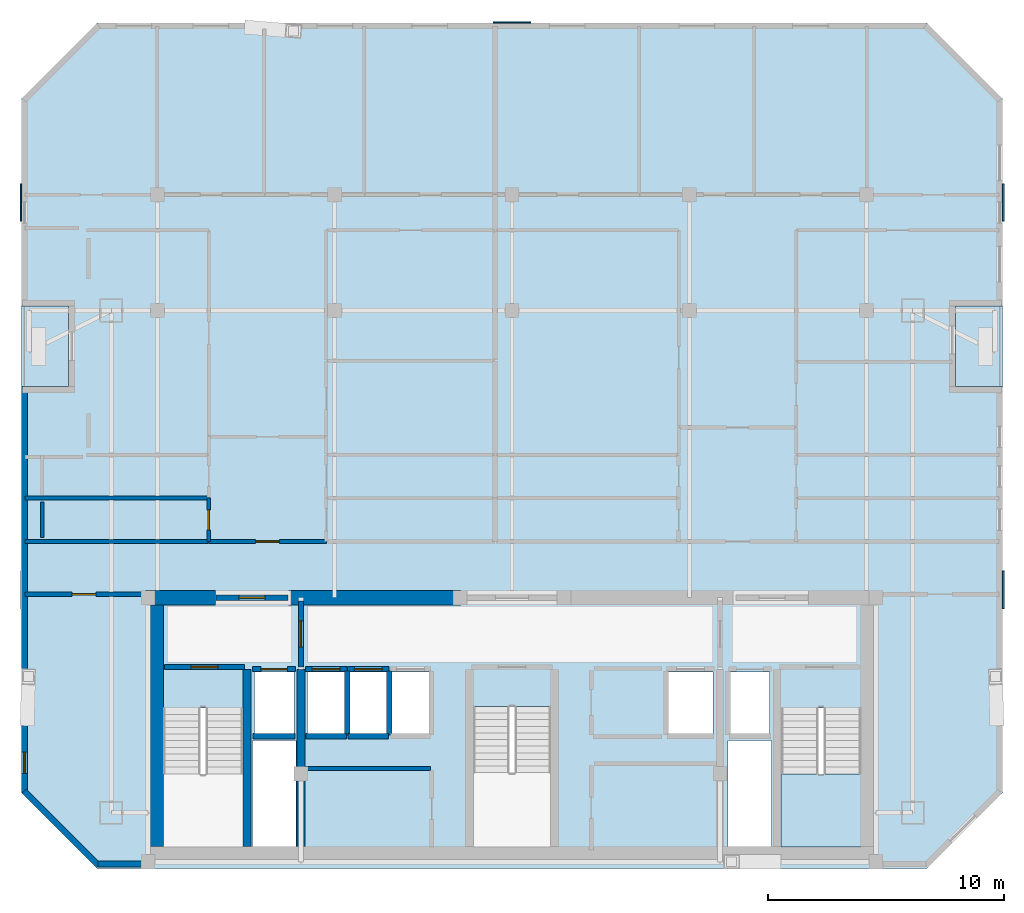
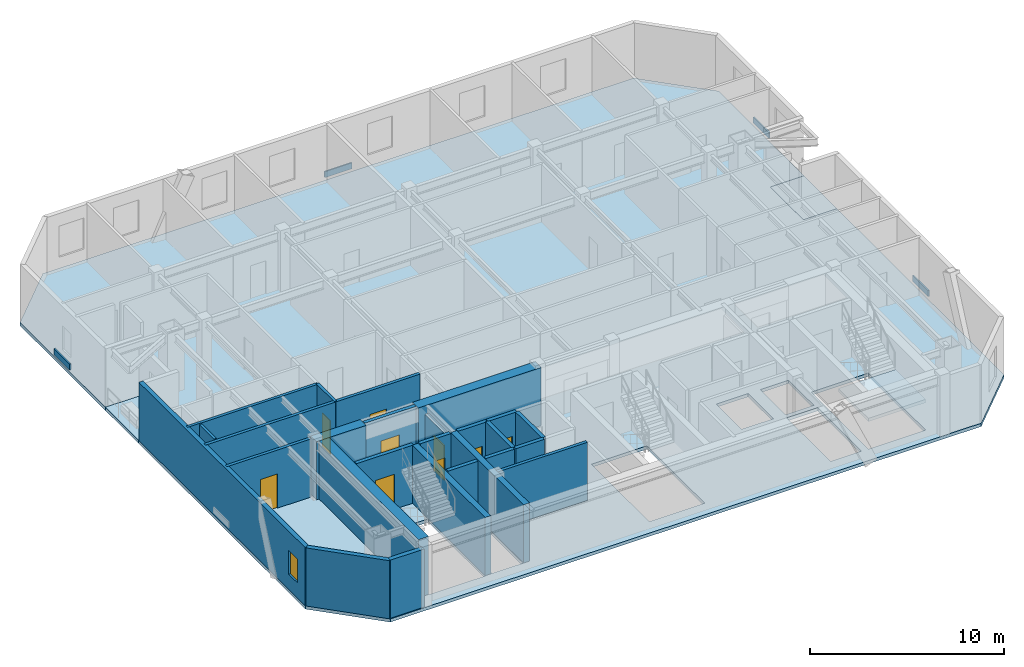
# One storey, part 2 of 7: 26 walls, 9 doors, 4 plates, 4 slabs, 1 window, 10 openings, 1 element without a shape of its own.
"""IFC4 building model written with IfcOpenShell, lengths in metres."""

from ifc_helpers import new_model, si_unit, direction, frame, frame_2d, origin, origin_2d, place, context, subcontext, project, spatial, polyline, rectangle, outline, extrude, material, layer, layer_set, type_object, element, fill, aggregate, save


model = new_model("IFC4")

# Units and contexts
model_context = context("Model", 3, precision=1e-05, world=origin(), true_north=direction((0.0, 1.0)))
body_context = subcontext(model_context, "Body", "Model", "MODEL_VIEW")
ifc_project = project(units=[si_unit("LENGTHUNIT", "METRE"), si_unit("AREAUNIT", "SQUARE_METRE"), si_unit("VOLUMEUNIT", "CUBIC_METRE"), si_unit("PLANEANGLEUNIT", "RADIAN"), si_unit("MASSUNIT", "GRAM", prefix="KILO")], contexts=[model_context])

# Site, building, storey
site_placement = place(None, origin())
site = spatial("IfcSite", under=ifc_project, at=site_placement, CompositionType="ELEMENT")
building_placement = place(site_placement, origin())
building = spatial("IfcBuilding", under=site, at=building_placement, Name="Ventersveld Concourse Tower", CompositionType="ELEMENT")
storey_placement = place(building_placement, frame((0.0, 0.0, 260.60009765625)))
storey = spatial("IfcBuildingStorey", under=building, at=storey_placement, Name="L64", CompositionType="ELEMENT", Elevation=260.60009765625)

# Plates
ifc_material_1 = material(Name="Precast concrete C45/55", Category="concrete")
ifc_layer_1 = layer(ifc_material_1, 0.080078125)
ifc_layer_set_1 = layer_set([ifc_layer_1], Name="Precast concrete C45/55")
plate_type = type_object("IfcPlateType", Name="PL-SPAND-80", PredefinedType="SHEET", material=ifc_layer_set_1)
for number, where, z_axis, x_axis, name in (
    (1, (49.522216796875, 11.7900390625, 0.169921875), (0.0, 0.0, 1.0), (0.0, 1.0, 0.0), "L64 Litema Bas-Relief Precast Spandrel Cassette 1"),
    (2, (49.522216796875, 28.17041015625, 0.169921875), (0.0, 0.0, 1.0), (0.0, 1.0, 0.0), "L64 Litema Bas-Relief Precast Spandrel Cassette 1"),
    (3, (28.75, 35.780517578125, 0.169921875), (0.0, 0.0, 1.0), (-1.0, 0.0, 0.0), "L64 Litema Bas-Relief Precast Spandrel Cassette 1"),
    (4, (7.977783203125, 28.17041015625, 0.169921875), (0.0, 0.0, 1.0), (0.0, -1.0, 0.0), "L64 Litema Bas-Relief Precast Spandrel Cassette 1"),
):
    element("IfcPlate", number, at=place(storey_placement, frame(where, z_axis=z_axis, x_axis=x_axis)), inside=storey, type_object=plate_type, Name=name, PredefinedType="SHEET", context=body_context, shape_type="SweptSolid", body=[
        extrude(rectangle(XDim=1.60009765625, YDim=0.080078125, at=origin_2d()), origin(), (0.0, 0.0, 1.0), 0.3798828125),
    ])

# Slabs
ifc_material_2 = material(Name="Concrete C50/60", Category="concrete")
ifc_layer_2 = layer(ifc_material_2, 0.199951171875)
ifc_layer_set_2 = layer_set([ifc_layer_2], Name="Concrete C50/60")
slab_type_1 = type_object("IfcSlabType", Name="SL-FLR-200", PredefinedType="FLOOR", material=ifc_layer_set_2)
slab_1_placement = place(storey_placement, frame((0.0, 0.0, -0.2001953125)))
element("IfcSlab", 5, at=slab_1_placement, inside=storey, type_object=slab_type_1, Name="L64 Composite Floor Slab", PredefinedType="FLOOR", context=body_context, shape_type="SweptSolid", body=[
    extrude(outline(polyline([(11.19775390625, 0.0), (46.30224609375, 0.0), (49.502197265625, 3.199951171875), (49.502197265625, 20.38037109375), (47.502197265625, 20.38037109375), (47.502197265625, 23.7802734375), (49.502197265625, 23.7802734375), (49.502197265625, 32.560546875), (46.30224609375, 35.760498046875), (11.19775390625, 35.760498046875), (7.997802734375, 32.560546875), (7.997802734375, 23.7802734375), (9.997802734375, 23.7802734375), (9.997802734375, 20.38037109375), (7.997802734375, 20.38037109375), (7.997802734375, 3.199951171875), (11.19775390625, 0.0)]), holes=[polyline([(13.97998046875, 6.794921875), (13.97998046875, 0.89990234375), (17.3798828125, 0.89990234375), (17.3798828125, 6.794921875), (13.97998046875, 6.794921875)]), polyline([(40.1201171875, 6.794921875), (40.1201171875, 0.89990234375), (43.52001953125, 0.89990234375), (43.52001953125, 6.794921875), (40.1201171875, 6.794921875)]), polyline([(27.10009765625, 6.844970703125), (27.10009765625, 0.89990234375), (30.39990234375, 0.89990234375), (30.39990234375, 6.844970703125), (27.10009765625, 6.844970703125)]), polyline([(17.85009765625, 5.699951171875), (19.530029296875, 5.699951171875), (19.530029296875, 8.300048828125), (17.85009765625, 8.300048828125), (17.85009765625, 5.699951171875)]), polyline([(37.969970703125, 5.699951171875), (39.64990234375, 5.699951171875), (39.64990234375, 8.300048828125), (37.969970703125, 8.300048828125), (37.969970703125, 5.699951171875)]), polyline([(35.35009765625, 5.699951171875), (37.25, 5.699951171875), (37.25, 8.300048828125), (35.35009765625, 8.300048828125), (35.35009765625, 5.699951171875)]), polyline([(20.090087890625, 5.699951171875), (21.68994140625, 5.699951171875), (21.68994140625, 8.300048828125), (20.090087890625, 8.300048828125), (20.090087890625, 5.699951171875)]), polyline([(21.8701171875, 5.699951171875), (23.469970703125, 5.699951171875), (23.469970703125, 8.300048828125), (21.8701171875, 8.300048828125), (21.8701171875, 5.699951171875)]), polyline([(23.64990234375, 5.699951171875), (25.25, 5.699951171875), (25.25, 8.300048828125), (23.64990234375, 8.300048828125), (23.64990234375, 5.699951171875)]), polyline([(17.780029296875, 0.919921875), (19.6201171875, 0.919921875), (19.6201171875, 5.419921875), (17.780029296875, 5.419921875), (17.780029296875, 0.919921875)]), polyline([(37.8798828125, 0.919921875), (39.719970703125, 0.919921875), (39.719970703125, 5.419921875), (37.8798828125, 5.419921875), (37.8798828125, 0.919921875)])]), origin(), (0.0, 0.0, 1.0), 0.2001953125),
])
slab_2_placement = place(storey_placement, frame((0.0, 0.0, -0.2001953125)))
element("IfcSlab", 6, at=slab_2_placement, inside=storey, type_object=slab_type_1, Name="L64 Outdoor Terrace Slab NOTCH-W", PredefinedType="FLOOR", context=body_context, shape_type="SweptSolid", body=[
    extrude(outline(polyline([(7.997802734375, 20.38037109375), (9.997802734375, 20.38037109375), (9.997802734375, 23.7802734375), (7.997802734375, 23.7802734375), (7.997802734375, 20.38037109375)])), origin(), (0.0, 0.0, 1.0), 0.2001953125),
])
slab_3_placement = place(storey_placement, frame((0.0, 0.0, -0.2001953125)))
element("IfcSlab", 7, at=slab_3_placement, inside=storey, type_object=slab_type_1, Name="L64 Outdoor Terrace Slab NOTCH-E", PredefinedType="FLOOR", context=body_context, shape_type="SweptSolid", body=[
    extrude(outline(polyline([(47.502197265625, 20.38037109375), (49.502197265625, 20.38037109375), (49.502197265625, 23.7802734375), (47.502197265625, 23.7802734375), (47.502197265625, 20.38037109375)])), origin(), (0.0, 0.0, 1.0), 0.2001953125),
])

# Stair, slab
stair_type = type_object("IfcStairType", Name="ST-DOG-160", PredefinedType="HALF_TURN_STAIR", material=ifc_material_2)
stair_placement = place(storey_placement, origin())
stair = element("IfcStair", 8, at=stair_placement, inside=storey, type_object=stair_type, Name="L64 Protected Tower Escape Stair ST-02", PredefinedType="HALF_TURN_STAIR")
ifc_layer_3 = layer(ifc_material_2, 0.199951171875)
ifc_layer_set_3 = layer_set([ifc_layer_3], Name="Concrete C50/60")
slab_type_2 = type_object("IfcSlabType", Name="SL-LND-200", PredefinedType="LANDING", material=ifc_layer_set_3)
slab_4_placement = place(storey_placement, frame((0.0, 0.0, 1.724853515625)))
slab_4 = element("IfcSlab", 9, at=slab_4_placement, type_object=slab_type_2, Name="ST-02 landing 1", PredefinedType="LANDING", context=body_context, shape_type="SweptSolid", body=[
    extrude(outline(polyline([(40.1201171875, 4.0), (40.1201171875, 0.89990234375), (43.52001953125, 0.89990234375), (43.52001953125, 4.0), (40.1201171875, 4.0)])), origin(), (0.0, 0.0, 1.0), 0.199951171875),
])
aggregate(stair, [slab_4])

# Walls
ifc_layer_4 = layer(ifc_material_2, 0.35009765625)
ifc_layer_set_4 = layer_set([ifc_layer_4], Name="Concrete C50/60")
wall_type_1 = type_object("IfcWallType", Name="WL-CORE-350U", PredefinedType="SHEAR", material=ifc_layer_set_4)
for number, where, z_axis, x_axis, name in (
    (10, (17.5400390625, 0.919921875, 0.0), (0.0, 0.0, 1.0), (0.0, 1.0, 0.0), "L64 Core Internal Shear Web W-ST1-E"),
    (11, (19.820068359375, 0.919921875, 0.0), (0.0, 0.0, 1.0), (0.0, 1.0, 0.0), "L64 Core Internal Shear Web W-FF1-E"),
):
    element("IfcWall", number, at=place(storey_placement, frame(where, z_axis=z_axis, x_axis=x_axis)), inside=storey, type_object=wall_type_1, Name=name, PredefinedType="SHEAR", context=body_context, shape_type="SweptSolid", body=[
        extrude(rectangle(XDim=7.5, YDim=0.35009765625, at=frame_2d((3.75, 0.0))), origin(), (0.0, 0.0, 1.0), 3.64990234375),
    ])
ifc_layer_5 = layer(ifc_material_2, 0.60009765625)
ifc_layer_set_5 = layer_set([ifc_layer_5], Name="Concrete C50/60")
wall_type_2 = type_object("IfcWallType", Name="WL-CORE-600", PredefinedType="SHEAR", material=ifc_layer_set_5)
wall_1_placement = place(storey_placement, frame((13.699951171875, 0.919921875, 0.0), z_axis=(0.0, 0.0, 1.0), x_axis=(0.0, 1.0, 0.0)))
element("IfcWall", 12, at=wall_1_placement, inside=storey, type_object=wall_type_2, Name="L64 Rear Core West Shear Wall", PredefinedType="SHEAR", context=body_context, shape_type="SweptSolid", body=[
    extrude(rectangle(XDim=10.530029296875, YDim=0.60009765625, at=frame_2d((5.26513671875, 0.0))), origin(), (0.0, 0.0, 1.0), 3.64990234375),
])
wall_2_placement = place(storey_placement, frame((13.25, 11.449951171875, 0.0), z_axis=(0.0, 0.0, 1.0), x_axis=(1.0, 0.0, 0.0)))
element("IfcWall", 13, at=wall_2_placement, inside=storey, type_object=wall_type_2, Name="L64 Rear Core North Shear Wall NW", PredefinedType="SHEAR", context=body_context, shape_type="SweptSolid", body=[
    extrude(rectangle(XDim=2.949951171875, YDim=0.60009765625, at=frame_2d((1.47509765625, 0.0))), origin(), (0.0, 0.0, 1.0), 3.64990234375),
])
wall_3_placement = place(storey_placement, frame((19.300048828125, 11.449951171875, 0.0), z_axis=(0.0, 0.0, 1.0), x_axis=(1.0, 0.0, 0.0)))
element("IfcWall", 14, at=wall_3_placement, inside=storey, type_object=wall_type_2, Name="L64 Rear Core North Shear Wall NML", PredefinedType="SHEAR", context=body_context, shape_type="SweptSolid", body=[
    extrude(rectangle(XDim=7.300048828125, YDim=0.60009765625, at=frame_2d((3.64990234375, 0.0))), origin(), (0.0, 0.0, 1.0), 3.64990234375),
])
ifc_material_3 = material(Name="Fire-rated autoclaved aerated masonry blockwork", Category="masonry")
ifc_layer_6 = layer(ifc_material_3, 0.179931640625)
ifc_layer_set_6 = layer_set([ifc_layer_6], Name="Fire-rated autoclaved aerated masonry blockwork")
wall_type_3 = type_object("IfcWallType", Name="WL-CORR-180", PredefinedType="PARTITIONING", material=ifc_layer_set_6)
wall_4_placement = place(storey_placement, frame((19.97998046875, 4.22998046875, 0.0), z_axis=(0.0, 0.0, 1.0), x_axis=(1.0, 0.0, 0.0)))
element("IfcWall", 15, at=wall_4_placement, inside=storey, type_object=wall_type_3, Name="L64 Core Top Wall SP-L64-RECB1A", PredefinedType="PARTITIONING", context=body_context, shape_type="SweptSolid", body=[
    extrude(rectangle(XDim=5.320068359375, YDim=0.179931640625, at=frame_2d((2.66015625, 0.0))), origin(), (0.0, 0.0, 1.0), 3.64990234375),
])

# Wall, opening, door
wall_5_placement = place(storey_placement, frame((8.147216796875, 11.60009765625, 0.0), z_axis=(0.0, 0.0, 1.0), x_axis=(1.0, 0.0, 0.0)))
wall_5 = element("IfcWall", 16, at=wall_5_placement, inside=storey, type_object=wall_type_3, Name="L64 Interior Partition SP-L64-SW-GAL-SP-L64-COR", PredefinedType="PARTITIONING", context=body_context, shape_type="SweptSolid", body=[
    extrude(rectangle(XDim=4.997802734375, YDim=0.179931640625, at=frame_2d((2.4990234375, 0.0))), origin(), (0.0, 0.0, 1.0), 3.64990234375),
])
opening_1_placement = place(wall_5_placement, frame((1.998779296875, 0.0, 0.0)))
opening_1 = element("IfcOpeningElement", 17, at=opening_1_placement, cuts=wall_5, Name="Opening FD3", PredefinedType="OPENING", context=body_context, shape_type="SweptSolid", body=[
    extrude(rectangle(XDim=1.0, YDim=2.14990234375, at=frame_2d((0.5, 1.074951171875))), frame((0.0, 0.10009765625, 0.0), z_axis=(0.0, -1.0, 0.0), x_axis=(1.0, 0.0, 0.0)), (0.0, 0.0, 1.0), 0.199951171875),
])
ifc_material_4 = material(Name="Solid-core hardwood veneer timber", Category="wood")
door_type_1 = type_object("IfcDoorType", Name="DR-FLAT-100", OperationType="NOTDEFINED", PredefinedType="DOOR", material=ifc_material_4)
door_1_placement = place(opening_1_placement, origin())
door_1 = element("IfcDoor", 18, at=door_1_placement, inside=storey, type_object=door_type_1, Name="L64 Interior Door SP-L64-SW-GAL to SP-L64-COR (D-L64-3022)", OperationType="SINGLE_SWING_RIGHT", OverallHeight=2.14990234375, OverallWidth=1.0, PredefinedType="DOOR", context=body_context, shape_type="SweptSolid", body=[
    extrude(rectangle(XDim=1.0, YDim=2.14990234375, at=frame_2d((0.5, 1.074951171875))), frame((0.0, 0.02490234375, 0.0), z_axis=(0.0, -1.0, 0.0), x_axis=(1.0, 0.0, 0.0)), (0.0, 0.0, 1.0), 0.050048828125),
])
fill(opening_1, door_1)

wall_6_placement = place(storey_placement, frame((15.9150390625, 13.830078125, 0.0), z_axis=(0.0, 0.0, 1.0), x_axis=(1.0, 0.0, 0.0)))
wall_6 = element("IfcWall", 19, at=wall_6_placement, inside=storey, type_object=wall_type_3, Name="L64 Interior Partition SP-L64-COR-SP-L64-64N1-FOY", PredefinedType="PARTITIONING", context=body_context, shape_type="SweptSolid", body=[
    extrude(rectangle(XDim=4.989990234375, YDim=0.179931640625, at=frame_2d((2.4951171875, 0.0))), origin(), (0.0, 0.0, 1.0), 3.64990234375),
])
opening_2_placement = place(wall_6_placement, frame((1.9951171875, 0.0, 0.0)))
opening_2 = element("IfcOpeningElement", 20, at=opening_2_placement, cuts=wall_6, Name="Opening FD3", PredefinedType="OPENING", context=body_context, shape_type="SweptSolid", body=[
    extrude(rectangle(XDim=1.0, YDim=2.14990234375, at=frame_2d((0.5, 1.074951171875))), frame((0.0, 0.10009765625, 0.0), z_axis=(0.0, -1.0, 0.0), x_axis=(1.0, 0.0, 0.0)), (0.0, 0.0, 1.0), 0.199951171875),
])
door_2_placement = place(opening_2_placement, origin())
door_2 = element("IfcDoor", 21, at=door_2_placement, inside=storey, type_object=door_type_1, Name="L64 Interior Door SP-L64-COR to SP-L64-64N1-FOY (FD-L64-3024)", OperationType="SINGLE_SWING_RIGHT", OverallHeight=2.14990234375, OverallWidth=1.0, PredefinedType="DOOR", context=body_context, shape_type="SweptSolid", body=[
    extrude(rectangle(XDim=1.0, YDim=2.14990234375, at=frame_2d((0.5, 1.074951171875))), frame((0.0, 0.02490234375, 0.0), z_axis=(0.0, -1.0, 0.0), x_axis=(1.0, 0.0, 0.0)), (0.0, 0.0, 1.0), 0.050048828125),
])
fill(opening_2, door_2)

# Walls
wall_7_placement = place(storey_placement, frame((8.147216796875, 13.830078125, 0.0), z_axis=(0.0, 0.0, 1.0), x_axis=(1.0, 0.0, 0.0)))
element("IfcWall", 22, at=wall_7_placement, inside=storey, type_object=wall_type_3, Name="L64 Interior Partition SP-L64-COR-SP-L64-64N1-BATH", PredefinedType="PARTITIONING", context=body_context, shape_type="SweptSolid", body=[
    extrude(rectangle(XDim=7.73779296875, YDim=0.179931640625, at=frame_2d((3.868896484375, 0.0))), origin(), (0.0, 0.0, 1.0), 3.64990234375),
])
ifc_layer_7 = layer(ifc_material_3, 0.219970703125)
ifc_layer_set_7 = layer_set([ifc_layer_7], Name="Fire-rated autoclaved aerated masonry blockwork")
wall_type_4 = type_object("IfcWallType", Name="WL-HOIST-220", PredefinedType="SOLIDWALL", material=ifc_layer_set_7)
wall_8_placement = place(storey_placement, frame((17.800048828125, 5.590087890625, 0.0), z_axis=(0.0, 0.0, 1.0), x_axis=(1.0, 0.0, 0.0)))
element("IfcWall", 23, at=wall_8_placement, inside=storey, type_object=wall_type_4, Name="L64 Lift Hoistway Back Wall FFL-01", PredefinedType="SOLIDWALL", context=body_context, shape_type="SweptSolid", body=[
    extrude(rectangle(XDim=1.780029296875, YDim=0.219970703125, at=frame_2d((0.89013671875, 0.0))), origin(), (0.0, 0.0, 1.0), 3.64990234375),
])

# Wall, opening, door
wall_9_placement = place(storey_placement, frame((17.780029296875, 8.429931640625, 0.0), z_axis=(0.0, 0.0, 1.0), x_axis=(1.0, 0.0, 0.0)))
wall_9 = element("IfcWall", 24, at=wall_9_placement, inside=storey, type_object=wall_type_4, Name="L64 Lift Hoistway Front Wall FFL-01", PredefinedType="SOLIDWALL", context=body_context, shape_type="SweptSolid", body=[
    extrude(rectangle(XDim=1.820068359375, YDim=0.219970703125, at=frame_2d((0.91015625, 0.0))), origin(), (0.0, 0.0, 1.0), 3.64990234375),
])
opening_3_placement = place(wall_9_placement, frame((0.35009765625, 0.0, 0.0)))
opening_3 = element("IfcOpeningElement", 25, at=opening_3_placement, cuts=wall_9, Name="Opening LD1", PredefinedType="OPENING", context=body_context, shape_type="SweptSolid", body=[
    extrude(rectangle(XDim=1.1201171875, YDim=2.25, at=frame_2d((0.56005859375, 1.125))), frame((0.0, 0.1201171875, 0.0), z_axis=(0.0, -1.0, 0.0), x_axis=(1.0, 0.0, 0.0)), (0.0, 0.0, 1.0), 0.239990234375),
])
ifc_material_5 = material(Name="Brushed stainless steel 316", Category="steel")
door_type_2 = type_object("IfcDoorType", Name="LD-FF-112", OperationType="SLIDING_TO_LEFT", PredefinedType="DOOR", material=ifc_material_5)
door_3_placement = place(opening_3_placement, origin())
door_3 = element("IfcDoor", 26, at=door_3_placement, inside=storey, type_object=door_type_2, Name="L64 Lift landing door FFL-01 (LD-L64-FFL-01)", OperationType="SLIDING_TO_RIGHT", OverallHeight=2.25, OverallWidth=1.1201171875, PredefinedType="DOOR", context=body_context, shape_type="SweptSolid", body=[
    extrude(rectangle(XDim=1.1201171875, YDim=2.25, at=frame_2d((0.56005859375, 1.125))), frame((0.0, 0.02490234375, 0.0), z_axis=(0.0, -1.0, 0.0), x_axis=(1.0, 0.0, 0.0)), (0.0, 0.0, 1.0), 0.050048828125),
])
fill(opening_3, door_3)

# Walls
wall_10_placement = place(storey_placement, frame((20.0400390625, 5.590087890625, 0.0), z_axis=(0.0, 0.0, 1.0), x_axis=(1.0, 0.0, 0.0)))
element("IfcWall", 27, at=wall_10_placement, inside=storey, type_object=wall_type_4, Name="L64 Lift Hoistway Back Wall PH-01", PredefinedType="SOLIDWALL", context=body_context, shape_type="SweptSolid", body=[
    extrude(rectangle(XDim=1.699951171875, YDim=0.219970703125, at=frame_2d((0.85009765625, 0.0))), origin(), (0.0, 0.0, 1.0), 3.64990234375),
])
wall_11_placement = place(storey_placement, frame((21.780029296875, 5.64990234375, 0.0), z_axis=(0.0, 0.0, 1.0), x_axis=(0.0, 1.0, 0.0)))
element("IfcWall", 28, at=wall_11_placement, inside=storey, type_object=wall_type_4, Name="L64 Lift Hoistway Side Wall PH-01E", PredefinedType="SOLIDWALL", context=body_context, shape_type="SweptSolid", body=[
    extrude(rectangle(XDim=2.7001953125, YDim=0.219970703125, at=frame_2d((1.35009765625, 0.0))), origin(), (0.0, 0.0, 1.0), 3.64990234375),
])

# Wall, opening, door
wall_12_placement = place(storey_placement, frame((20.02001953125, 8.429931640625, 0.0), z_axis=(0.0, 0.0, 1.0), x_axis=(1.0, 0.0, 0.0)))
wall_12 = element("IfcWall", 29, at=wall_12_placement, inside=storey, type_object=wall_type_4, Name="L64 Lift Hoistway Front Wall PH-01", PredefinedType="SOLIDWALL", context=body_context, shape_type="SweptSolid", body=[
    extrude(rectangle(XDim=1.739990234375, YDim=0.219970703125, at=frame_2d((0.8701171875, 0.0))), origin(), (0.0, 0.0, 1.0), 3.64990234375),
])
opening_4_placement = place(wall_12_placement, frame((0.280029296875, 0.0, 0.0)))
opening_4 = element("IfcOpeningElement", 30, at=opening_4_placement, cuts=wall_12, Name="Opening LD2", PredefinedType="OPENING", context=body_context, shape_type="SweptSolid", body=[
    extrude(rectangle(XDim=1.179931640625, YDim=2.199951171875, at=frame_2d((0.58984375, 1.10009765625))), frame((0.0, 0.1201171875, 0.0), z_axis=(0.0, -1.0, 0.0), x_axis=(1.0, 0.0, 0.0)), (0.0, 0.0, 1.0), 0.239990234375),
])
door_type_3 = type_object("IfcDoorType", Name="LD-PAX-118", OperationType="SLIDING_TO_LEFT", PredefinedType="DOOR", material=ifc_material_5)
door_4_placement = place(opening_4_placement, origin())
door_4 = element("IfcDoor", 31, at=door_4_placement, inside=storey, type_object=door_type_3, Name="L64 Lift landing door PH-01 (LD-L64-PH-01)", OperationType="SLIDING_TO_LEFT", OverallHeight=2.199951171875, OverallWidth=1.179931640625, PredefinedType="DOOR", context=body_context, shape_type="SweptSolid", body=[
    extrude(rectangle(XDim=1.179931640625, YDim=2.199951171875, at=frame_2d((0.58984375, 1.10009765625))), frame((0.0, 0.02490234375, 0.0), z_axis=(0.0, -1.0, 0.0), x_axis=(1.0, 0.0, 0.0)), (0.0, 0.0, 1.0), 0.050048828125),
])
fill(opening_4, door_4)

# Walls
wall_13_placement = place(storey_placement, frame((21.820068359375, 5.590087890625, 0.0), z_axis=(0.0, 0.0, 1.0), x_axis=(1.0, 0.0, 0.0)))
element("IfcWall", 32, at=wall_13_placement, inside=storey, type_object=wall_type_4, Name="L64 Lift Hoistway Back Wall PH-02", PredefinedType="SOLIDWALL", context=body_context, shape_type="SweptSolid", body=[
    extrude(rectangle(XDim=1.699951171875, YDim=0.219970703125, at=frame_2d((0.85009765625, 0.0))), origin(), (0.0, 0.0, 1.0), 3.64990234375),
])
wall_14_placement = place(storey_placement, frame((23.56005859375, 5.64990234375, 0.0), z_axis=(0.0, 0.0, 1.0), x_axis=(0.0, 1.0, 0.0)))
element("IfcWall", 33, at=wall_14_placement, inside=storey, type_object=wall_type_4, Name="L64 Lift Hoistway Side Wall PH-02E", PredefinedType="SOLIDWALL", context=body_context, shape_type="SweptSolid", body=[
    extrude(rectangle(XDim=2.7001953125, YDim=0.219970703125, at=frame_2d((1.35009765625, 0.0))), origin(), (0.0, 0.0, 1.0), 3.64990234375),
])

# Wall, opening, door
wall_15_placement = place(storey_placement, frame((21.800048828125, 8.429931640625, 0.0), z_axis=(0.0, 0.0, 1.0), x_axis=(1.0, 0.0, 0.0)))
wall_15 = element("IfcWall", 34, at=wall_15_placement, inside=storey, type_object=wall_type_4, Name="L64 Lift Hoistway Front Wall PH-02", PredefinedType="SOLIDWALL", context=body_context, shape_type="SweptSolid", body=[
    extrude(rectangle(XDim=1.739990234375, YDim=0.219970703125, at=frame_2d((0.8701171875, 0.0))), origin(), (0.0, 0.0, 1.0), 3.64990234375),
])
opening_5_placement = place(wall_15_placement, frame((0.280029296875, 0.0, 0.0)))
opening_5 = element("IfcOpeningElement", 35, at=opening_5_placement, cuts=wall_15, Name="Opening LD2", PredefinedType="OPENING", context=body_context, shape_type="SweptSolid", body=[
    extrude(rectangle(XDim=1.179931640625, YDim=2.199951171875, at=frame_2d((0.58984375, 1.10009765625))), frame((0.0, 0.1201171875, 0.0), z_axis=(0.0, -1.0, 0.0), x_axis=(1.0, 0.0, 0.0)), (0.0, 0.0, 1.0), 0.239990234375),
])
door_5_placement = place(opening_5_placement, origin())
door_5 = element("IfcDoor", 36, at=door_5_placement, inside=storey, type_object=door_type_3, Name="L64 Lift landing door PH-02 (LD-L64-PH-02)", OperationType="SLIDING_TO_RIGHT", OverallHeight=2.199951171875, OverallWidth=1.179931640625, PredefinedType="DOOR", context=body_context, shape_type="SweptSolid", body=[
    extrude(rectangle(XDim=1.179931640625, YDim=2.199951171875, at=frame_2d((0.58984375, 1.10009765625))), frame((0.0, 0.02490234375, 0.0), z_axis=(0.0, -1.0, 0.0), x_axis=(1.0, 0.0, 0.0)), (0.0, 0.0, 1.0), 0.050048828125),
])
fill(opening_5, door_5)

wall_16_placement = place(storey_placement, frame((14.0400390625, 8.52001953125, 0.0), z_axis=(0.0, 0.0, 1.0), x_axis=(1.0, 0.0, 0.0)))
wall_16 = element("IfcWall", 37, at=wall_16_placement, inside=storey, type_object=wall_type_4, Name="L64 Escape Stair ST01 Fire Wall", PredefinedType="SOLIDWALL", context=body_context, shape_type="SweptSolid", body=[
    extrude(rectangle(XDim=3.39990234375, YDim=0.219970703125, at=frame_2d((1.699951171875, 0.0))), origin(), (0.0, 0.0, 1.0), 3.64990234375),
])
opening_6_placement = place(wall_16_placement, frame((1.125, 0.0, 0.0)))
opening_6 = element("IfcOpeningElement", 38, at=opening_6_placement, cuts=wall_16, Name="Opening FD1", PredefinedType="OPENING", context=body_context, shape_type="SweptSolid", body=[
    extrude(rectangle(XDim=1.14990234375, YDim=2.199951171875, at=frame_2d((0.574951171875, 1.10009765625))), frame((0.0, 0.1201171875, 0.0), z_axis=(0.0, -1.0, 0.0), x_axis=(1.0, 0.0, 0.0)), (0.0, 0.0, 1.0), 0.239990234375),
])
ifc_material_6 = material(Name="Galvanised painted steel", Category="steel")
door_type_4 = type_object("IfcDoorType", Name="DR-STAIR-115", OperationType="NOTDEFINED", PredefinedType="DOOR", material=ifc_material_6)
door_6_placement = place(opening_6_placement, origin())
door_6 = element("IfcDoor", 39, at=door_6_placement, inside=storey, type_object=door_type_4, Name="L64 Escape Stair Door ST01 (SD-L64-3011)", OperationType="SINGLE_SWING_LEFT", OverallHeight=2.199951171875, OverallWidth=1.14990234375, PredefinedType="DOOR", context=body_context, shape_type="SweptSolid", body=[
    extrude(rectangle(XDim=1.14990234375, YDim=2.199951171875, at=frame_2d((0.574951171875, 1.10009765625))), frame((0.0, 0.02490234375, 0.0), z_axis=(0.0, -1.0, 0.0), x_axis=(1.0, 0.0, 0.0)), (0.0, 0.0, 1.0), 0.050048828125),
])
fill(opening_6, door_6)

wall_17_placement = place(storey_placement, frame((19.820068359375, 8.52001953125, 0.0), z_axis=(0.0, 0.0, 1.0), x_axis=(0.0, 1.0, 0.0)))
wall_17 = element("IfcWall", 40, at=wall_17_placement, inside=storey, type_object=wall_type_4, Name="L64 Firefighting Lobby Smoke-Stop Wall FFLW-SEP", PredefinedType="SOLIDWALL", context=body_context, shape_type="SweptSolid", body=[
    extrude(rectangle(XDim=2.800048828125, YDim=0.219970703125, at=frame_2d((1.39990234375, 0.0))), origin(), (0.0, 0.0, 1.0), 3.10546875),
])
opening_7_placement = place(wall_17_placement, frame((0.85009765625, 0.0, 0.0)))
opening_7 = element("IfcOpeningElement", 41, at=opening_7_placement, cuts=wall_17, Name="Opening FD2", PredefinedType="OPENING", context=body_context, shape_type="SweptSolid", body=[
    extrude(rectangle(XDim=1.10009765625, YDim=2.199951171875, at=frame_2d((0.550048828125, 1.10009765625))), frame((0.0, 0.1201171875, 0.0), z_axis=(0.0, -1.0, 0.0), x_axis=(1.0, 0.0, 0.0)), (0.0, 0.0, 1.0), 0.239990234375),
])
door_type_5 = type_object("IfcDoorType", Name="DR-FFL-110", OperationType="NOTDEFINED", PredefinedType="DOOR", material=ifc_material_6)
door_7_placement = place(opening_7_placement, origin())
door_7 = element("IfcDoor", 42, at=door_7_placement, inside=storey, type_object=door_type_5, Name="L64 Firefighting Lobby Door FFLW-SEP (FD-L64-3014)", OperationType="SINGLE_SWING_LEFT", OverallHeight=2.199951171875, OverallWidth=1.10009765625, PredefinedType="DOOR", context=body_context, shape_type="SweptSolid", body=[
    extrude(rectangle(XDim=1.10009765625, YDim=2.199951171875, at=frame_2d((0.550048828125, 1.10009765625))), frame((0.0, 0.02490234375, 0.0), z_axis=(0.0, -1.0, 0.0), x_axis=(1.0, 0.0, 0.0)), (0.0, 0.0, 1.0), 0.050048828125),
])
fill(opening_7, door_7)

wall_18_placement = place(storey_placement, frame((16.22998046875, 11.449951171875, 0.0), z_axis=(0.0, 0.0, 1.0), x_axis=(1.0, 0.0, 0.0)))
wall_18 = element("IfcWall", 43, at=wall_18_placement, inside=storey, type_object=wall_type_4, Name="L64 Core North Fire Portal FFLW-OUT", PredefinedType="SOLIDWALL", context=body_context, shape_type="SweptSolid", body=[
    extrude(rectangle(XDim=3.0400390625, YDim=0.219970703125, at=frame_2d((1.52001953125, 0.0))), origin(), (0.0, 0.0, 1.0), 3.64990234375),
])
opening_8_placement = place(wall_18_placement, frame((0.969970703125, 0.0, 0.0)))
opening_8 = element("IfcOpeningElement", 44, at=opening_8_placement, cuts=wall_18, Name="Opening FD2", PredefinedType="OPENING", context=body_context, shape_type="SweptSolid", body=[
    extrude(rectangle(XDim=1.10009765625, YDim=2.199951171875, at=frame_2d((0.550048828125, 1.10009765625))), frame((0.0, 0.1201171875, 0.0), z_axis=(0.0, -1.0, 0.0), x_axis=(1.0, 0.0, 0.0)), (0.0, 0.0, 1.0), 0.239990234375),
])
door_8_placement = place(opening_8_placement, origin())
door_8 = element("IfcDoor", 45, at=door_8_placement, inside=storey, type_object=door_type_5, Name="L64 Core Lobby Fire Door FFLW-OUT (FD-L64-3016)", OperationType="SINGLE_SWING_RIGHT", OverallHeight=2.199951171875, OverallWidth=1.10009765625, PredefinedType="DOOR", context=body_context, shape_type="SweptSolid", body=[
    extrude(rectangle(XDim=1.10009765625, YDim=2.199951171875, at=frame_2d((0.550048828125, 1.10009765625))), frame((0.0, 0.02490234375, 0.0), z_axis=(0.0, -1.0, 0.0), x_axis=(1.0, 0.0, 0.0)), (0.0, 0.0, 1.0), 0.050048828125),
])
fill(opening_8, door_8)

# Wall
ifc_layer_8 = layer(ifc_material_1, 0.260009765625)
ifc_layer_set_8 = layer_set([ifc_layer_8], Name="Precast concrete C45/55")
wall_type_5 = type_object("IfcWallType", Name="WL-PREC-260", PredefinedType="SOLIDWALL", material=ifc_layer_set_8)
wall_19_placement = place(storey_placement, frame((11.23779296875, 0.179931640625, 0.0), z_axis=(0.0, 0.0, 1.0), x_axis=(1.0, 0.0, 0.0)))
element("IfcWall", 46, at=wall_19_placement, inside=storey, type_object=wall_type_5, Name="L64 South-West Flank Precast Wall", PredefinedType="SOLIDWALL", context=body_context, shape_type="SweptSolid", body=[
    extrude(rectangle(XDim=2.01220703125, YDim=0.260009765625, at=frame_2d((1.006103515625, 0.0))), origin(), (0.0, 0.0, 1.0), 3.64990234375),
])

# Wall, opening, window
wall_20_placement = place(storey_placement, frame((8.127685546875, 20.34033203125, 0.0), z_axis=(0.0, 0.0, 1.0), x_axis=(0.0, -1.0, 0.0)))
wall_20 = element("IfcWall", 47, at=wall_20_placement, inside=storey, type_object=wall_type_5, Name="L64 Highveld Precast Facade Wall E15", PredefinedType="SOLIDWALL", context=body_context, shape_type="SweptSolid", body=[
    extrude(rectangle(XDim=17.100341796875, YDim=0.260009765625, at=frame_2d((8.55029296875, 0.0))), origin(), (0.0, 0.0, 1.0), 3.64990234375),
])
opening_9_placement = place(wall_20_placement, frame((15.42041015625, 0.0, 0.949951171875)))
opening_9 = element("IfcOpeningElement", 48, at=opening_9_placement, cuts=wall_20, Name="Opening W4", PredefinedType="OPENING", context=body_context, shape_type="SweptSolid", body=[
    extrude(rectangle(XDim=0.89990234375, YDim=1.5, at=frame_2d((0.449951171875, 0.75))), frame((0.0, 0.14013671875, 0.0), z_axis=(0.0, -1.0, 0.0), x_axis=(1.0, 0.0, 0.0)), (0.0, 0.0, 1.0), 0.280029296875),
])
ifc_material_7 = material(Name="Tempered acoustic Low-E IGU", Category="glass")
window_type = type_object("IfcWindowType", Name="WIN-090x150", PartitioningType="SINGLE_PANEL", PredefinedType="WINDOW", material=ifc_material_7)
window_placement = place(opening_9_placement, origin())
window = element("IfcWindow", 49, at=window_placement, inside=storey, type_object=window_type, Name="L64 Punched Low-E Window W-0905", OverallHeight=1.5, OverallWidth=0.89990234375, PartitioningType="SINGLE_PANEL", PredefinedType="WINDOW", context=body_context, shape_type="SweptSolid", body=[
    extrude(rectangle(XDim=0.89990234375, YDim=1.5, at=frame_2d((0.449951171875, 0.75))), frame((0.0, 0.030029296875, 0.0), z_axis=(0.0, -1.0, 0.0), x_axis=(1.0, 0.0, 0.0)), (0.0, 0.0, 1.0), 0.06005859375),
])
fill(opening_9, window)

# Wall
wall_21_placement = place(storey_placement, frame((8.117919921875, 3.263671875, 0.0), z_axis=(0.0, 0.0, 1.0), x_axis=(0.707079321262, -0.707134240044, 0.0)))
element("IfcWall", 50, at=wall_21_placement, inside=storey, type_object=wall_type_5, Name="L64 Highveld Precast Facade Wall E16", PredefinedType="SOLIDWALL", context=body_context, shape_type="SweptSolid", body=[
    extrude(rectangle(XDim=4.445556640625, YDim=0.260009765625, at=frame_2d((2.22265625, 0.0))), origin(), (0.0, 0.0, 1.0), 3.64990234375),
])

# Wall, opening, door
ifc_material_8 = material(Name="Autoclaved aerated masonry blockwork", Category="masonry")
ifc_layer_9 = layer(ifc_material_8, 0.1650390625)
ifc_layer_set_9 = layer_set([ifc_layer_9], Name="Autoclaved aerated masonry blockwork")
wall_type_6 = type_object("IfcWallType", Name="WL-WET-165", PredefinedType="PLUMBINGWALL", material=ifc_layer_set_9)
wall_22_placement = place(storey_placement, frame((15.920166015625, 13.824951171875, 0.0), z_axis=(0.0, 0.0, 1.0), x_axis=(0.0, 1.0, 0.0)))
wall_22 = element("IfcWall", 51, at=wall_22_placement, inside=storey, type_object=wall_type_6, Name="L64 Interior Partition SP-L64-64N1-FOY-SP-L64-64N1-BATH", PredefinedType="PLUMBINGWALL", context=body_context, shape_type="SweptSolid", body=[
    extrude(rectangle(XDim=1.840087890625, YDim=0.1650390625, at=frame_2d((0.919921875, 0.0))), origin(), (0.0, 0.0, 1.0), 3.64990234375),
])
opening_10_placement = place(wall_22_placement, frame((0.4951171875, 0.0, 0.0)))
opening_10 = element("IfcOpeningElement", 52, at=opening_10_placement, cuts=wall_22, Name="Opening ID2", PredefinedType="OPENING", context=body_context, shape_type="SweptSolid", body=[
    extrude(rectangle(XDim=0.85009765625, YDim=2.10009765625, at=frame_2d((0.425048828125, 1.050048828125))), frame((0.0, 0.092529296875, 0.0), z_axis=(0.0, -1.0, 0.0), x_axis=(1.0, 0.0, 0.0)), (0.0, 0.0, 1.0), 0.18505859375),
])
door_type_6 = type_object("IfcDoorType", Name="DR-BATH-085", OperationType="NOTDEFINED", PredefinedType="DOOR", material=ifc_material_4)
door_9_placement = place(opening_10_placement, origin())
door_9 = element("IfcDoor", 53, at=door_9_placement, inside=storey, type_object=door_type_6, Name="L64 Interior Door SP-L64-64N1-FOY to SP-L64-64N1-BATH (D-L64-3027)", OperationType="SINGLE_SWING_LEFT", OverallHeight=2.10009765625, OverallWidth=0.85009765625, PredefinedType="DOOR", context=body_context, shape_type="SweptSolid", body=[
    extrude(rectangle(XDim=0.85009765625, YDim=2.10009765625, at=frame_2d((0.425048828125, 1.050048828125))), frame((0.0, 0.02490234375, 0.0), z_axis=(0.0, -1.0, 0.0), x_axis=(1.0, 0.0, 0.0)), (0.0, 0.0, 1.0), 0.050048828125),
])
fill(opening_10, door_9)

# Walls
wall_23_placement = place(storey_placement, frame((8.147216796875, 15.659912109375, 0.0), z_axis=(0.0, 0.0, 1.0), x_axis=(1.0, 0.0, 0.0)))
element("IfcWall", 54, at=wall_23_placement, inside=storey, type_object=wall_type_6, Name="L64 Interior Partition SP-L64-64N1-BATH-SP-L64-64N1-PWDL2", PredefinedType="PLUMBINGWALL", context=body_context, shape_type="SweptSolid", body=[
    extrude(rectangle(XDim=7.77783203125, YDim=0.1650390625, at=frame_2d((3.888916015625, 0.0))), origin(), (0.0, 0.0, 1.0), 3.64990234375),
])
wall_24_placement = place(storey_placement, frame((8.877685546875, 13.9951171875, 0.0), z_axis=(0.0, 0.0, 1.0), x_axis=(0.0, 1.0, 0.0)))
element("IfcWall", 55, at=wall_24_placement, inside=storey, type_object=wall_type_6, Name="L64 Room Enclosure Wall SP-L64-64N1-BATH", PredefinedType="PLUMBINGWALL", context=body_context, shape_type="SweptSolid", body=[
    extrude(rectangle(XDim=1.5, YDim=0.1650390625, at=frame_2d((0.75, 0.0))), origin(), (0.0, 0.0, 1.0), 3.64990234375),
])

save(model, "model.ifc")
